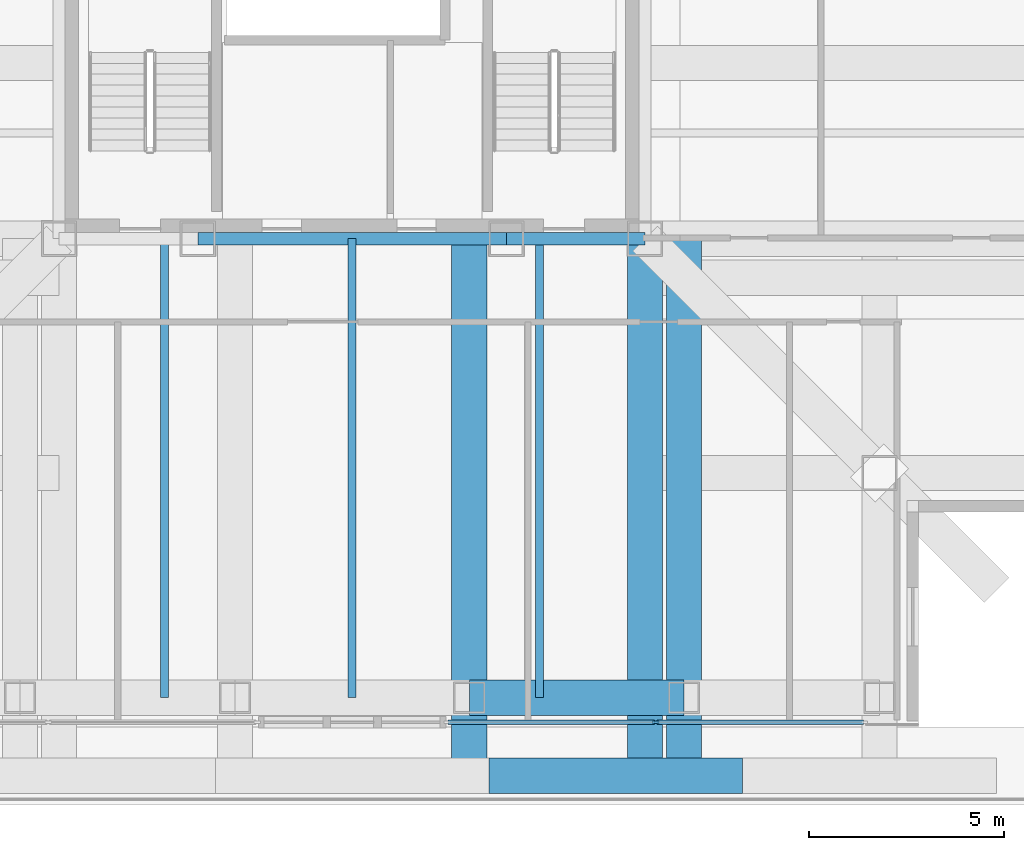
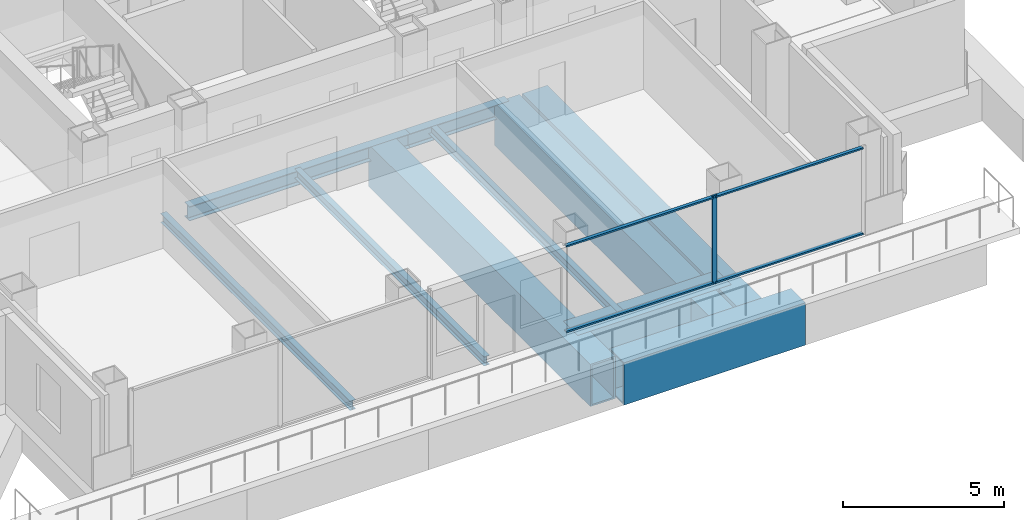
# One storey, part 3 of 14: 10 beams, 5 members, 1 element without a shape of its own.
"""IFC4 building model written with IfcOpenShell, lengths in metres."""

from ifc_helpers import new_model, si_unit, direction, frame, origin, origin_2d, place, context, subcontext, project, spatial, rectangle, hollow_rectangle, i_section, extrude, material, layer, layer_set, material_profile, profile_set, type_object, element, aggregate, save


model = new_model("IFC4")

# Units and contexts
model_context = context("Model", 3, precision=1e-05, world=origin(), true_north=direction((0.0, 1.0)))
body_context = subcontext(model_context, "Body", "Model", "MODEL_VIEW")
ifc_project = project(units=[si_unit("LENGTHUNIT", "METRE"), si_unit("AREAUNIT", "SQUARE_METRE"), si_unit("VOLUMEUNIT", "CUBIC_METRE"), si_unit("PLANEANGLEUNIT", "RADIAN"), si_unit("MASSUNIT", "GRAM", prefix="KILO")], contexts=[model_context])

# Site, building, storey
site_placement = place(None, origin())
site = spatial("IfcSite", under=ifc_project, at=site_placement, CompositionType="ELEMENT")
building_placement = place(site_placement, origin())
building = spatial("IfcBuilding", under=site, at=building_placement, Name="Trevonay Congress Spire", CompositionType="ELEMENT")
storey_placement = place(building_placement, frame((0.0, 0.0, 166.199951171875)))
storey = spatial("IfcBuildingStorey", under=building, at=storey_placement, Name="L42", CompositionType="ELEMENT", Elevation=166.199951171875)

# Beams
ifc_material_1 = material(Name="Steel ASTM A572 Grade 50", Category="steel")
ifc_material_profile_1 = material_profile(ifc_material_1, i_section(OverallWidth=0.31201171875, OverallDepth=0.54296875, WebThickness=0.0126953125, FlangeThickness=0.020263671875, FilletRadius=0.014892578125, at=origin_2d()), Name="W530x150")
ifc_profile_set_1 = profile_set([ifc_material_profile_1], Name="Steel ASTM A572 Grade 50")
beam_type_1 = type_object("IfcBeamType", Name="BM-GIRD-W530X150", PredefinedType="BEAM", material=ifc_profile_set_1)
beam_1_placement = place(storey_placement, frame((-3.949951171875, -7.5, -0.67138671875), z_axis=(1.0, 0.0, 0.0), x_axis=(0.0, 1.0, 0.0)))
element("IfcBeam", 1, at=beam_1_placement, inside=storey, type_object=beam_type_1, Name="L42 structural beam BM-L42-CR-S2", PredefinedType="BEAM", context=body_context, shape_type="SweptSolid", body=[
    extrude(i_section(OverallWidth=0.31201171875, OverallDepth=0.54296875, WebThickness=0.0126953125, FlangeThickness=0.020263671875, FilletRadius=0.014892578125, at=origin_2d()), origin(), (0.0, 0.0, 1.0), 7.89990234375),
])
beam_2_placement = place(storey_placement, frame((3.949951171875, -7.5, -0.67138671875), z_axis=(1.0, 0.0, 0.0), x_axis=(0.0, 1.0, 0.0)))
element("IfcBeam", 2, at=beam_2_placement, inside=storey, type_object=beam_type_1, Name="L42 structural beam BM-L42-CR-S3", PredefinedType="BEAM", context=body_context, shape_type="SweptSolid", body=[
    extrude(i_section(OverallWidth=0.31201171875, OverallDepth=0.54296875, WebThickness=0.0126953125, FlangeThickness=0.020263671875, FilletRadius=0.014892578125, at=origin_2d()), origin(), (0.0, 0.0, 1.0), 3.550048828125),
])
ifc_material_profile_2 = material_profile(ifc_material_1, hollow_rectangle(XDim=0.89990234375, YDim=1.60009765625, WallThickness=0.06005859375, at=origin_2d()), Name="BOX 1600x900x60")
ifc_profile_set_2 = profile_set([ifc_material_profile_2], Name="Steel ASTM A572 Grade 50")
beam_type_2 = type_object("IfcBeamType", Name="BM-RING-BOX1600", PredefinedType="BEAM", material=ifc_profile_set_2)
beam_3_placement = place(storey_placement, frame((3.0, -19.25, -1.199951171875), z_axis=(1.0, 0.0, 0.0), x_axis=(0.0, 1.0, 0.0)))
element("IfcBeam", 3, at=beam_3_placement, inside=storey, type_object=beam_type_2, Name="L42 structural beam BM-L42-PS4", PredefinedType="BEAM", context=body_context, shape_type="SweptSolid", body=[
    extrude(hollow_rectangle(XDim=0.89990234375, YDim=1.60009765625, WallThickness=0.06005859375, at=origin_2d()), origin(), (0.0, 0.0, 1.0), 5.5),
])
beam_4_placement = place(storey_placement, frame((3.5, -21.25, -1.199951171875), z_axis=(1.0, 0.0, 0.0), x_axis=(0.0, 1.0, 0.0)))
element("IfcBeam", 4, at=beam_4_placement, inside=storey, type_object=beam_type_2, Name="L42 structural beam XOUT-L42-S3", PredefinedType="BEAM", context=body_context, shape_type="SweptSolid", body=[
    extrude(hollow_rectangle(XDim=0.89990234375, YDim=1.60009765625, WallThickness=0.06005859375, at=origin_2d()), origin(), (0.0, 0.0, 1.0), 6.5),
])
ifc_material_profile_3 = material_profile(ifc_material_1, hollow_rectangle(XDim=0.89990234375, YDim=1.60009765625, WallThickness=0.06005859375, at=origin_2d()), Name="BOX 1600x900x60")
ifc_profile_set_3 = profile_set([ifc_material_profile_3], Name="Steel ASTM A572 Grade 50")
beam_type_3 = type_object("IfcBeamType", Name="BM-XFER-BOX1600", PredefinedType="BEAM", material=ifc_profile_set_3)
for number, where, z_axis, x_axis, name in (
    (5, (7.5, -7.5, -1.199951171875), (0.0, -1.0, 0.0), (1.0, 0.0, 0.0), "L42 structural beam XSPN-L42-CY-SE"),
    (6, (3.0, -7.5, -1.199951171875), (0.0, -1.0, 0.0), (1.0, 0.0, 0.0), "L42 structural beam XFER-L42-S3"),
    (7, (8.5, -7.5, -1.199951171875), (0.0, -1.0, 0.0), (1.0, 0.0, 0.0), "L42 structural beam XFER-L42-S4"),
):
    element("IfcBeam", number, at=place(storey_placement, frame(where, z_axis=z_axis, x_axis=x_axis)), inside=storey, type_object=beam_type_3, Name=name, PredefinedType="BEAM", context=body_context, shape_type="SweptSolid", body=[
        extrude(hollow_rectangle(XDim=0.89990234375, YDim=1.60009765625, WallThickness=0.06005859375, at=origin_2d()), origin(), (0.0, 0.0, 1.0), 13.75),
    ])

# Curtain wall, members
ifc_material_2 = material(Name="Pale Anodised Aluminium EN AW-6063-T6", Category="aluminium")
ifc_layer = layer(ifc_material_2, 0.169921875, Name="Pale Anodised Aluminium EN AW-6063-T6")
ifc_layer_set = layer_set([ifc_layer], Name="Pale Anodised Aluminium EN AW-6063-T6")
curtain_wall_type = type_object("IfcCurtainWallType", Name="CW-SYS04-CORP-PALE-METAL", PredefinedType="NOTDEFINED", material=ifc_layer_set)
curtain_wall_placement = place(storey_placement, origin())
curtain_wall = element("IfcCurtainWall", 8, at=curtain_wall_placement, inside=storey, type_object=curtain_wall_type, Name="L42 SB unitised curtain wall", PredefinedType="NOTDEFINED")
ifc_material_profile_4 = material_profile(ifc_material_2, rectangle(XDim=0.06005859375, YDim=0.159912109375, at=origin_2d()), Name="CW-MULLION-160-ALUMINIUM")
ifc_profile_set_4 = profile_set([ifc_material_profile_4], Name="Pale Anodised Aluminium EN AW-6063-T6")
member_type_1 = type_object("IfcMemberType", Name="CW-MULLION-160-ALUMINIUM", PredefinedType="MULLION", material=ifc_profile_set_4)
member_1_placement = place(storey_placement, frame((7.77490234375, -19.8798828125, 0.0), z_axis=(0.0, 0.0, 1.0), x_axis=(0.0, 1.0, 0.0)))
member_1 = element("IfcMember", 9, at=member_1_placement, type_object=member_type_1, Name="CW04 mullion 2", PredefinedType="MULLION", context=body_context, shape_type="SweptSolid", body=[
    extrude(rectangle(XDim=0.06005859375, YDim=0.159912109375, at=origin_2d()), origin(), (0.0, 0.0, 1.0), 3.360107421875),
])
ifc_material_profile_5 = material_profile(ifc_material_2, rectangle(XDim=0.1201171875, YDim=0.06005859375, at=origin_2d()), Name="CW-TRANSOM-120-ALUMINIUM")
ifc_profile_set_5 = profile_set([ifc_material_profile_5], Name="Pale Anodised Aluminium EN AW-6063-T6")
member_type_2 = type_object("IfcMemberType", Name="CW-TRANSOM-120-ALUMINIUM", PredefinedType="USERDEFINED", material=ifc_profile_set_5)
member_2_placement = place(storey_placement, frame((2.4599609375, -19.8798828125, 0.06005859375), z_axis=(1.0, 0.0, 0.0), x_axis=(0.0, 1.0, 0.0)))
member_2 = element("IfcMember", 10, at=member_2_placement, type_object=member_type_2, Name="CW04 transom 1.1", ObjectType="TRANSOM", PredefinedType="USERDEFINED", context=body_context, shape_type="SweptSolid", body=[
    extrude(rectangle(XDim=0.1201171875, YDim=0.06005859375, at=origin_2d()), origin(), (0.0, 0.0, 1.0), 5.28515625),
])
member_3_placement = place(storey_placement, frame((2.4599609375, -19.8798828125, 3.300048828125), z_axis=(1.0, 0.0, 0.0), x_axis=(0.0, 1.0, 0.0)))
member_3 = element("IfcMember", 11, at=member_3_placement, type_object=member_type_2, Name="CW04 transom 1.2", ObjectType="TRANSOM", PredefinedType="USERDEFINED", context=body_context, shape_type="SweptSolid", body=[
    extrude(rectangle(XDim=0.1201171875, YDim=0.06005859375, at=origin_2d()), origin(), (0.0, 0.0, 1.0), 5.28515625),
])
member_4_placement = place(storey_placement, frame((7.804931640625, -19.8798828125, 0.06005859375), z_axis=(1.0, 0.0, 0.0), x_axis=(0.0, 1.0, 0.0)))
member_4 = element("IfcMember", 12, at=member_4_placement, type_object=member_type_2, Name="CW04 transom 2.1", ObjectType="TRANSOM", PredefinedType="USERDEFINED", context=body_context, shape_type="SweptSolid", body=[
    extrude(rectangle(XDim=0.1201171875, YDim=0.06005859375, at=origin_2d()), origin(), (0.0, 0.0, 1.0), 5.28515625),
])
member_5_placement = place(storey_placement, frame((7.804931640625, -19.8798828125, 3.300048828125), z_axis=(1.0, 0.0, 0.0), x_axis=(0.0, 1.0, 0.0)))
member_5 = element("IfcMember", 13, at=member_5_placement, type_object=member_type_2, Name="CW04 transom 2.2", ObjectType="TRANSOM", PredefinedType="USERDEFINED", context=body_context, shape_type="SweptSolid", body=[
    extrude(rectangle(XDim=0.1201171875, YDim=0.06005859375, at=origin_2d()), origin(), (0.0, 0.0, 1.0), 5.28515625),
])
aggregate(curtain_wall, [member_1, member_2, member_3, member_4, member_5])

# Beams
ifc_material_profile_6 = material_profile(ifc_material_1, i_section(OverallWidth=0.205078125, OverallDepth=0.35400390625, WebThickness=0.009521484375, FlangeThickness=0.016845703125, FilletRadius=0.011962890625, at=origin_2d()), Name="W360x79")
ifc_profile_set_6 = profile_set([ifc_material_profile_6], Name="Steel ASTM A572 Grade 50")
beam_type_4 = type_object("IfcBeamType", Name="JS-COMP-W360X79", PredefinedType="JOIST", material=ifc_profile_set_6)
for number, where, z_axis, x_axis, name in (
    (14, (-4.800048828125, -19.25, -0.576904296875), (0.0, 1.0, 0.0), (-1.0, 0.0, 0.0), "L42 structural beam JS-L42-NS-S1"),
    (15, (0.0, -19.25, -0.576904296875), (0.0, 1.0, 0.0), (-1.0, 0.0, 0.0), "L42 structural beam JS-L42-NS-S2"),
    (16, (4.800048828125, -19.25, -0.576904296875), (0.0, 1.0, 0.0), (-1.0, 0.0, 0.0), "L42 structural beam JS-L42-NS-S3"),
):
    element("IfcBeam", number, at=place(storey_placement, frame(where, z_axis=z_axis, x_axis=x_axis)), inside=storey, type_object=beam_type_4, Name=name, PredefinedType="JOIST", context=body_context, shape_type="SweptSolid", body=[
        extrude(i_section(OverallWidth=0.205078125, OverallDepth=0.35400390625, WebThickness=0.009521484375, FlangeThickness=0.016845703125, FilletRadius=0.011962890625, at=origin_2d()), origin(), (0.0, 0.0, 1.0), 11.75),
    ])

save(model, "model.ifc")
